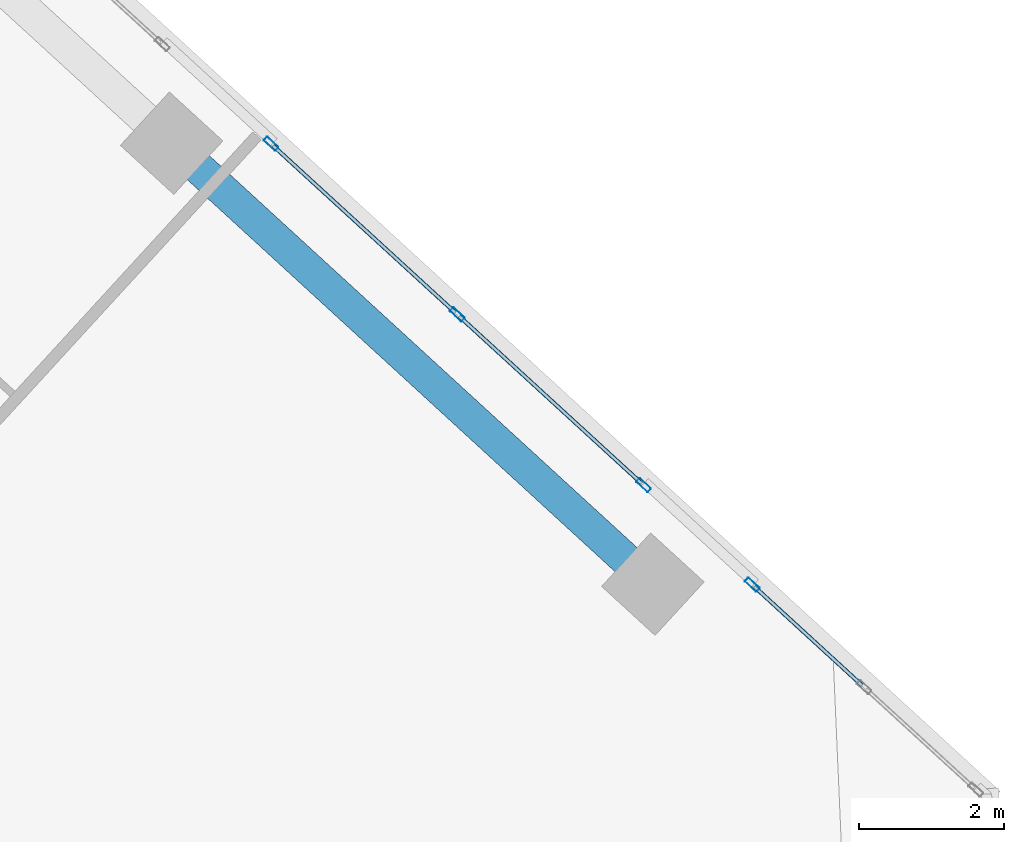
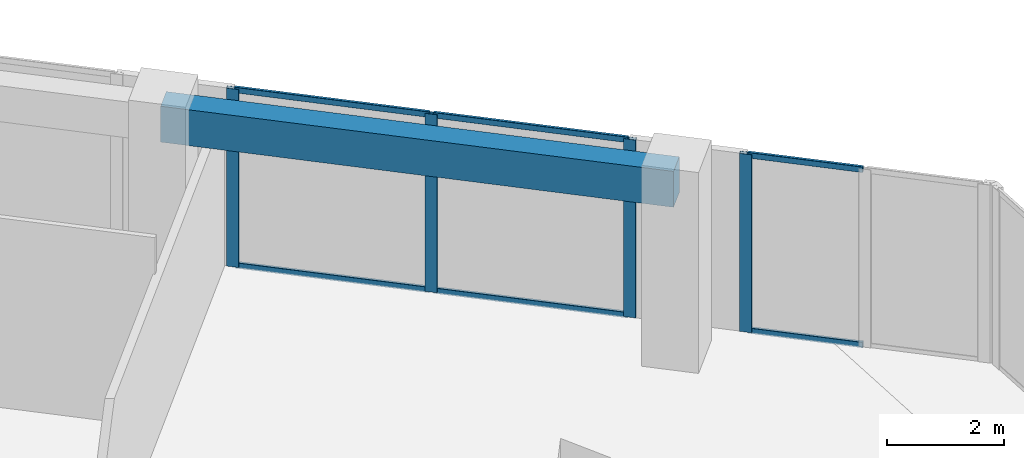
# One storey, part 9 of 18: 10 members, 1 beam, 2 elements without a shape of their own.
"""IFC4 building model written with IfcOpenShell, lengths in metres."""

from ifc_helpers import new_model, si_unit, direction, frame, origin, origin_2d, place, context, subcontext, project, spatial, rectangle, hollow_rectangle, extrude, source, transform, mapped, material, material_profile, profile_set, type_object, element, aggregate, save


model = new_model("IFC4")

# Units and contexts
model_context = context("Model", 3, precision=1e-05, world=origin(), true_north=direction((0.0, 1.0)))
body_context = subcontext(model_context, "Body", "Model", "MODEL_VIEW")
ifc_project = project(units=[si_unit("LENGTHUNIT", "METRE"), si_unit("AREAUNIT", "SQUARE_METRE"), si_unit("VOLUMEUNIT", "CUBIC_METRE"), si_unit("PLANEANGLEUNIT", "RADIAN"), si_unit("MASSUNIT", "GRAM", prefix="KILO")], contexts=[model_context])

# Site, building, storey
site_placement = place(None, origin())
site = spatial("IfcSite", under=ifc_project, at=site_placement, CompositionType="ELEMENT")
building_placement = place(site_placement, origin())
building = spatial("IfcBuilding", under=site, at=building_placement, Name="Torre Montelarca", CompositionType="ELEMENT")
storey_placement = place(building_placement, frame((0.0, 0.0, 233.199951171875)))
storey = spatial("IfcBuildingStorey", under=building, at=storey_placement, Name="L52", CompositionType="ELEMENT", Elevation=233.199951171875)

# Beam
ifc_material_1 = material(Name="Concrete C55/67", Category="concrete")
ifc_material_profile_1 = material_profile(ifc_material_1, rectangle(XDim=0.449951171875, YDim=0.75, at=origin_2d()), Name="RCB450X750", Category="concrete")
ifc_profile_set_1 = profile_set([ifc_material_profile_1], Name="Concrete C55/67")
beam_type = type_object("IfcBeamType", Name="BM-SP-RC750-EXT", PredefinedType="SPANDREL", material=ifc_profile_set_1)
shared_shape_1 = source(origin(), body_context, "Body", "SweptSolid", [
    extrude(rectangle(XDim=0.449951171875, YDim=0.75, at=origin_2d()), origin(), (0.0, 0.0, 1.0), 9.0),
])
beam_placement = place(storey_placement, frame((35.790283203125, 39.4541015625, 3.5849609375), z_axis=(0.73727686361, -0.675590724023, 0.0), x_axis=(0.675590724023, 0.73727686361, 0.0)))
element("IfcBeam", 1, at=beam_placement, inside=storey, type_object=beam_type, Name="L52 Grid Girder X 27.0-36.0 at Y=47.1", PredefinedType="SPANDREL", context=body_context, shape_type="MappedRepresentation", body=[
    mapped(shared_shape_1, transform((0.0, 0.0, 0.0), scale=1.0)),
])

# Curtain wall, members
ifc_material_2 = material(Name="Insulated low-E laminated glass", Category="glass")
curtain_wall_type = type_object("IfcCurtainWallType", Name="CW-SYS-Z3", PredefinedType="USERDEFINED", material=ifc_material_2)
curtain_wall_1_placement = place(storey_placement, origin())
curtain_wall_1 = element("IfcCurtainWall", 2, at=curtain_wall_1_placement, inside=storey, type_object=curtain_wall_type, Name="L52 Curtain Wall Run CW-T3-L52-E08-B2", ObjectType="UNITISED GLAZING", PredefinedType="USERDEFINED")
ifc_material_3 = material(Name="Anodised aluminium AA 6063-T6", Category="aluminium")
ifc_material_profile_2 = material_profile(ifc_material_3, hollow_rectangle(XDim=0.054931640625, YDim=0.1201171875, WallThickness=0.00341796875, InnerFilletRadius=0.00341796875, OuterFilletRadius=0.007080078125, at=origin_2d()), Name="ALU55X120X3.5", Category="aluminium")
ifc_profile_set_2 = profile_set([ifc_material_profile_2], Name="Anodised aluminium AA 6063-T6")
member_type_1 = type_object("IfcMemberType", Name="CWT-ALU120", PredefinedType="USERDEFINED", material=ifc_profile_set_2)
shared_shape_2 = source(origin(), body_context, "Body", "SweptSolid", [
    extrude(hollow_rectangle(XDim=0.054931640625, YDim=0.1201171875, WallThickness=0.00341796875, InnerFilletRadius=0.00341796875, OuterFilletRadius=0.007080078125, at=origin_2d()), origin(), (0.0, 0.0, 1.0), 3.407470703125),
])
member_1_placement = place(storey_placement, frame((42.269287109375, 34.7646484375, 0.027587890625), z_axis=(-0.73724335405, 0.675627291418, 0.0), x_axis=(-0.675627291418, -0.73724335405, 0.0)))
member_1 = element("IfcMember", 3, at=member_1_placement, type_object=member_type_1, Name="CW transom 1.1", ObjectType="TRANSOM", PredefinedType="USERDEFINED", context=body_context, shape_type="MappedRepresentation", body=[
    mapped(shared_shape_2, transform((0.0, 0.0, 0.0), scale=1.0)),
])
member_2_placement = place(storey_placement, frame((42.269287109375, 34.7646484375, 3.692626953125), z_axis=(-0.73724335405, 0.675627291418, 0.0), x_axis=(-0.675627291418, -0.73724335405, 0.0)))
member_2 = element("IfcMember", 4, at=member_2_placement, type_object=member_type_1, Name="CW transom 1.2", ObjectType="TRANSOM", PredefinedType="USERDEFINED", context=body_context, shape_type="MappedRepresentation", body=[
    mapped(shared_shape_2, transform((0.0, 0.0, 0.0), scale=1.0)),
])
member_3_placement = place(storey_placement, frame((39.701904296875, 37.117431640625, 0.027587890625), z_axis=(-0.737279042037, 0.675588346683, 0.0), x_axis=(-0.675588346683, -0.737279042037, 0.0)))
member_3 = element("IfcMember", 5, at=member_3_placement, type_object=member_type_1, Name="CW transom 2.1", ObjectType="TRANSOM", PredefinedType="USERDEFINED", context=body_context, shape_type="MappedRepresentation", body=[
    mapped(shared_shape_2, transform((0.0, 0.0, 0.0), scale=1.0)),
])
member_4_placement = place(storey_placement, frame((39.701904296875, 37.117431640625, 3.692626953125), z_axis=(-0.737279042037, 0.675588346683, 0.0), x_axis=(-0.675588346683, -0.737279042037, 0.0)))
member_4 = element("IfcMember", 6, at=member_4_placement, type_object=member_type_1, Name="CW transom 2.2", ObjectType="TRANSOM", PredefinedType="USERDEFINED", context=body_context, shape_type="MappedRepresentation", body=[
    mapped(shared_shape_2, transform((0.0, 0.0, 0.0), scale=1.0)),
])

# Curtain wall, member
curtain_wall_2_placement = place(storey_placement, origin())
curtain_wall_2 = element("IfcCurtainWall", 7, at=curtain_wall_2_placement, inside=storey, type_object=curtain_wall_type, Name="L52 Curtain Wall Run CW-T3-L52-E08-B1", ObjectType="UNITISED GLAZING", PredefinedType="USERDEFINED")
ifc_material_profile_3 = material_profile(ifc_material_3, hollow_rectangle(XDim=0.074951171875, YDim=0.219970703125, WallThickness=0.0048828125, InnerFilletRadius=0.0048828125, OuterFilletRadius=0.010009765625, at=origin_2d()), Name="ALU75X220X5", Category="aluminium")
ifc_profile_set_3 = profile_set([ifc_material_profile_3], Name="Anodised aluminium AA 6063-T6")
member_type_2 = type_object("IfcMemberType", Name="CWM-ALU220", PredefinedType="MULLION", material=ifc_profile_set_3)
shared_shape_3 = source(origin(), body_context, "Body", "SweptSolid", [
    extrude(hollow_rectangle(XDim=0.074951171875, YDim=0.219970703125, WallThickness=0.0048828125, InnerFilletRadius=0.0048828125, OuterFilletRadius=0.010009765625, at=origin_2d()), origin(), (0.0, 0.0, 1.0), 3.719970703125),
])
member_5_placement = place(storey_placement, frame((43.79736328125, 33.364501953125, 0.0), z_axis=(0.0, 0.0, 1.0), x_axis=(-0.675581984074, -0.737284872213, 0.0)))
member_5 = element("IfcMember", 8, at=member_5_placement, type_object=member_type_2, Name="CW mullion 3", PredefinedType="MULLION", context=body_context, shape_type="MappedRepresentation", body=[
    mapped(shared_shape_3, transform((0.0, 0.0, 0.0), scale=1.0)),
])

# Member
member_6_placement = place(storey_placement, frame((42.297119140625, 34.739501953125, 0.0), z_axis=(0.0, 0.0, 1.0), x_axis=(-0.67558825214, -0.737279128668, 0.0)))
member_6 = element("IfcMember", 9, at=member_6_placement, type_object=member_type_2, Name="CW mullion 1", PredefinedType="MULLION", context=body_context, shape_type="MappedRepresentation", body=[
    mapped(shared_shape_3, transform((0.0, 0.0, 0.0), scale=1.0)),
])

member_7_placement = place(storey_placement, frame((39.7294921875, 37.092041015625, 0.0), z_axis=(0.0, 0.0, 1.0), x_axis=(-0.67558825214, -0.737279128668, 0.0)))
member_7 = element("IfcMember", 10, at=member_7_placement, type_object=member_type_2, Name="CW mullion 2", PredefinedType="MULLION", context=body_context, shape_type="MappedRepresentation", body=[
    mapped(shared_shape_3, transform((0.0, 0.0, 0.0), scale=1.0)),
])

member_8_placement = place(storey_placement, frame((37.161865234375, 39.44482421875, 0.0), z_axis=(0.0, 0.0, 1.0), x_axis=(-0.67558825214, -0.737279128668, 0.0)))
member_8 = element("IfcMember", 11, at=member_8_placement, type_object=member_type_2, Name="CW mullion 3", PredefinedType="MULLION", context=body_context, shape_type="MappedRepresentation", body=[
    mapped(shared_shape_3, transform((0.0, 0.0, 0.0), scale=1.0)),
])

aggregate(curtain_wall_1, [member_6, member_7, member_8, member_1, member_2, member_3, member_4])

shared_shape_4 = source(origin(), body_context, "Body", "SweptSolid", [
    extrude(hollow_rectangle(XDim=0.054931640625, YDim=0.1201171875, WallThickness=0.00341796875, InnerFilletRadius=0.00341796875, OuterFilletRadius=0.007080078125, at=origin_2d()), origin(), (0.0, 0.0, 1.0), 2.014404296875),
])
member_9_placement = place(storey_placement, frame((45.310546875, 31.978271484375, 0.027587890625), z_axis=(-0.737335216492, 0.675527037594, 0.0), x_axis=(-0.675527037594, -0.737335216492, 0.0)))
member_9 = element("IfcMember", 12, at=member_9_placement, type_object=member_type_1, Name="CW transom 2.1", ObjectType="TRANSOM", PredefinedType="USERDEFINED", context=body_context, shape_type="MappedRepresentation", body=[
    mapped(shared_shape_4, transform((0.0, 0.0, 0.0), scale=1.0)),
])

member_10_placement = place(storey_placement, frame((45.310546875, 31.978271484375, 3.692626953125), z_axis=(-0.737335216492, 0.675527037594, 0.0), x_axis=(-0.675527037594, -0.737335216492, 0.0)))
member_10 = element("IfcMember", 13, at=member_10_placement, type_object=member_type_1, Name="CW transom 2.2", ObjectType="TRANSOM", PredefinedType="USERDEFINED", context=body_context, shape_type="MappedRepresentation", body=[
    mapped(shared_shape_4, transform((0.0, 0.0, 0.0), scale=1.0)),
])

aggregate(curtain_wall_2, [member_5, member_9, member_10])

save(model, "model.ifc")
